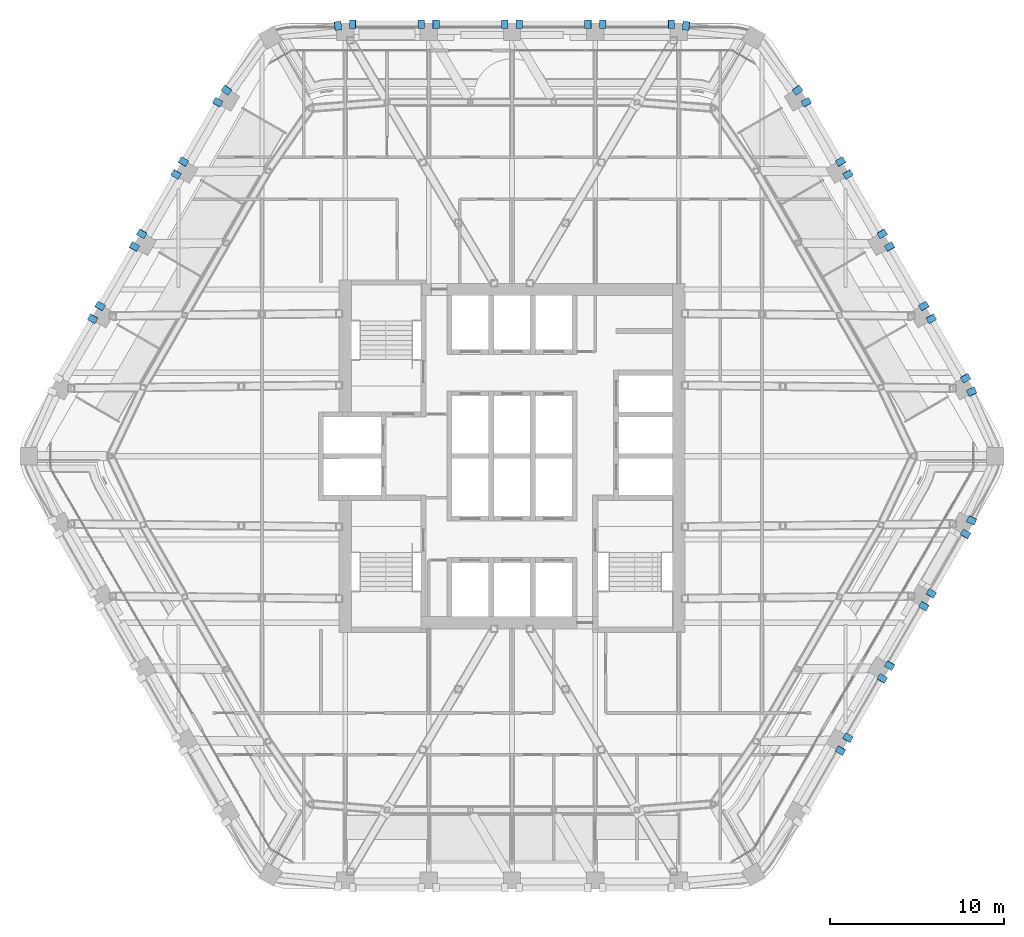
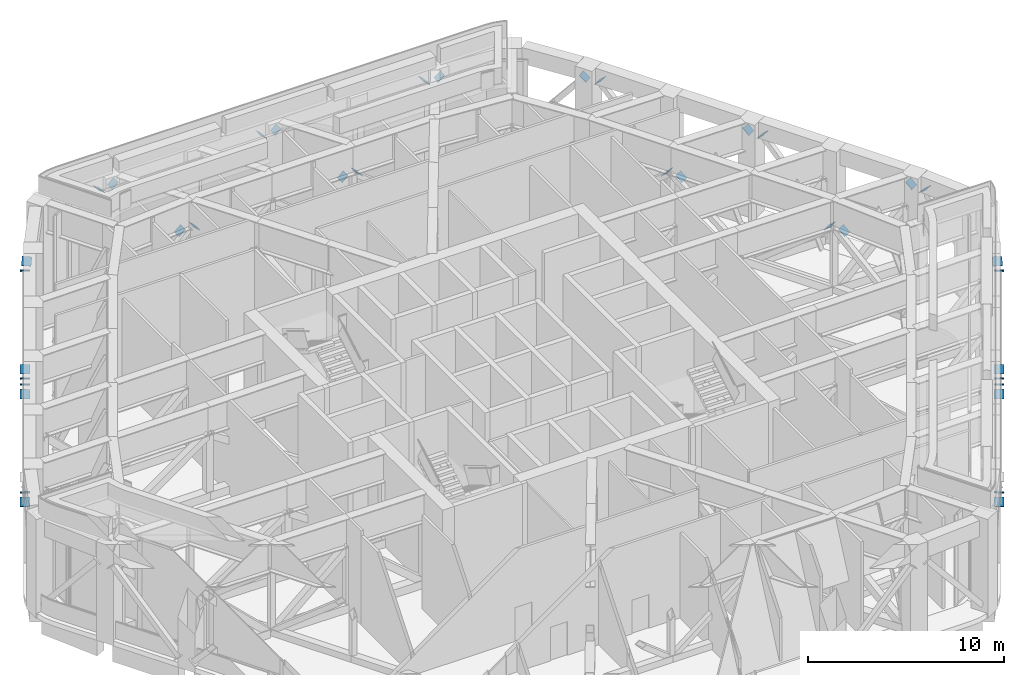
# One storey, part 21 of 24: 36 discrete accessories.
"""IFC4 building model written with IfcOpenShell, lengths in metres."""

import ifcopenshell
import ifcopenshell.guid

model = None  # the IFC model being written
_history = None  # IfcOwnerHistory: only IFC2X3 demands one
_inside = {}  # id of a spatial element -> (the spatial element, [elements in it])
_under = {}  # id of a project, library or spatial element -> (it, [spatial elements below it])
_declared = {}  # id of a project -> (the project, [libraries it declares])
_typed = {}  # id of a type object -> (the type object, [elements of that type])
_made_of = {}  # id of a material, layer set ... -> (it, [elements and type objects made of it])


def new_model(schema):
    """Start an empty IFC model of exactly this schema.

    Asked for "IFC4X3", IfcOpenShell would pick the latest addendum, in which some entities
    have other attributes; the version numbers below select the first issue.
    IFC2X3 requires an IfcOwnerHistory on every rooted entity: one is made here for all.
    """
    global model, _history
    if schema == "IFC4X3":
        model = ifcopenshell.file(schema_version=(4, 3, 0, 0))
    else:
        model = ifcopenshell.file(schema=schema)
    _inside.clear()
    _under.clear()
    _declared.clear()
    _typed.clear()
    _made_of.clear()
    _history = None
    if model.schema == "IFC2X3":
        org = make("IfcOrganization", Name="unknown")
        user = make(
            "IfcPersonAndOrganization",
            ThePerson=make("IfcPerson", FamilyName="unknown"),
            TheOrganization=org,
        )
        app = make(
            "IfcApplication",
            ApplicationDeveloper=org,
            Version="unknown",
            ApplicationFullName="unknown",
            ApplicationIdentifier="unknown",
        )
        _history = make(
            "IfcOwnerHistory",
            OwningUser=user,
            OwningApplication=app,
            ChangeAction="ADDED",
            CreationDate=0,
        )
    return model


def make(cls, **values):
    """One entity of the class cls with the attributes given. An attribute that is None is left unset."""
    return model.create_entity(
        cls, **{name: value for name, value in values.items() if value is not None}
    )


def rooted(cls, **values):
    """An entity with a GlobalId (a new one), such as an element, a storey or a relation."""
    return make(cls, GlobalId=ifcopenshell.guid.new(), OwnerHistory=_history, **values)


def si_unit(unit_type, name, prefix=None):
    """IfcSIUnit, for example si_unit("LENGTHUNIT", "METRE", prefix="MILLI")."""
    return make("IfcSIUnit", UnitType=unit_type, Prefix=prefix, Name=name)


def assignment(units):
    """IfcUnitAssignment: the units of a project."""
    return None if units is None else make("IfcUnitAssignment", Units=units)


def point(xyz):
    """IfcCartesianPoint."""
    return None if xyz is None else make("IfcCartesianPoint", Coordinates=xyz)


def direction(xyz):
    """IfcDirection."""
    return None if xyz is None else make("IfcDirection", DirectionRatios=xyz)


def frame(location, z_axis=None, x_axis=None):
    """IfcAxis2Placement3D, a coordinate frame: its origin and axes. An axis left out is left unset."""
    return make(
        "IfcAxis2Placement3D",
        Location=point(location),
        Axis=direction(z_axis),
        RefDirection=direction(x_axis),
    )


def frame_2d(location, x_axis=None):
    """IfcAxis2Placement2D, a coordinate frame in the plane: its origin and x axis."""
    return make(
        "IfcAxis2Placement2D", Location=point(location), RefDirection=direction(x_axis)
    )


def origin():
    """The frame at (0, 0, 0) with its axes left unset."""
    return frame((0.0, 0.0, 0.0))


def origin_2d():
    """The frame at (0, 0) in the plane with its x axis left unset."""
    return frame_2d((0.0, 0.0))


def place(relative_to, where):
    """IfcLocalPlacement: puts the frame where relative to a parent placement (None: the world)."""
    return make(
        "IfcLocalPlacement", PlacementRelTo=relative_to, RelativePlacement=where
    )


def context(
    kind, dimensions, precision=None, world=None, true_north=None, identifier=None
):
    """IfcGeometricRepresentationContext, for example the 3D "Model" context."""
    return make(
        "IfcGeometricRepresentationContext",
        ContextIdentifier=identifier,
        ContextType=kind,
        CoordinateSpaceDimension=dimensions,
        Precision=precision,
        WorldCoordinateSystem=world,
        TrueNorth=true_north,
    )


def subcontext(parent, identifier, kind, view, scale=None):
    """IfcGeometricRepresentationSubContext, for example "Body" below "Model"."""
    return make(
        "IfcGeometricRepresentationSubContext",
        ContextIdentifier=identifier,
        ContextType=kind,
        ParentContext=parent,
        TargetScale=scale,
        TargetView=view,
    )


def project(units=None, contexts=None):
    """IfcProject with its units and contexts."""
    return rooted(
        "IfcProject",
        Name="project",
        RepresentationContexts=contexts,
        UnitsInContext=assignment(units),
    )


def spatial(cls, under=None, at=None, **own):
    """A site, building, storey or space (cls), placed at a placement, below another one or the project."""
    s = rooted(cls, ObjectPlacement=at, **own)
    if under is not None:
        _under.setdefault(under.id(), (under, []))[1].append(s)
    return s


def profile(cls, at=None, kind="AREA", **sizes):
    """A parametric profile (cls). Its sizes go by their IFC names, for example OverallWidth=200.0."""
    return make(cls, ProfileType=kind, Position=at, **sizes)


def rectangle(**sizes):
    """IfcRectangleProfileDef."""
    return profile("IfcRectangleProfileDef", **sizes)


def extrude(swept, where, along, depth):
    """IfcExtrudedAreaSolid: the profile swept, set in the frame where, extruded along a direction by depth."""
    return make(
        "IfcExtrudedAreaSolid",
        SweptArea=swept,
        Position=where,
        ExtrudedDirection=direction(along),
        Depth=depth,
    )


def shape(context_of_items, identifier, shape_type, items):
    """IfcShapeRepresentation: the items that make up one representation, for example the "Body"."""
    return make(
        "IfcShapeRepresentation",
        ContextOfItems=context_of_items,
        RepresentationIdentifier=identifier,
        RepresentationType=shape_type,
        Items=items,
    )


def made_of(thing, what):
    """Note that an element or type object is made of a material, layer set ...; save() writes the relation."""
    if what is not None:
        _made_of.setdefault(what.id(), (what, []))[1].append(thing)
    return thing


def element(
    cls,
    number,
    at=None,
    inside=None,
    cuts=None,
    type_object=None,
    material=None,
    context=None,
    identifier="Body",
    shape_type=None,
    held_by="IfcProductDefinitionShape",
    body=None,
    shapes=None,
    **own,
):
    """One element of the class cls, such as IfcWall. Its Tag is "e" and its number.

    at: its placement. inside: the storey or other place that contains it. cuts: it is an
    opening in that element (IfcRelVoidsElement). A single representation is given by context,
    identifier, shape_type and body (its items); several are given by shapes. held_by: the class
    of the entity that holds the representations. save() writes the other relations.
    """
    e = rooted(cls, Tag="e%d" % number, ObjectPlacement=at, **own)
    if body is not None:
        shapes = [shape(context, identifier, shape_type, body)]
    if shapes is not None:
        e.Representation = make(held_by, Representations=shapes)
    if inside is not None:
        _inside.setdefault(inside.id(), (inside, []))[1].append(e)
    if cuts is not None:
        rooted(
            "IfcRelVoidsElement", RelatingBuildingElement=cuts, RelatedOpeningElement=e
        )
    if type_object is not None:
        _typed.setdefault(type_object.id(), (type_object, []))[1].append(e)
    return made_of(e, material)


def aggregate(whole, parts):
    """IfcRelAggregates: a whole, such as a stair, and the parts it consists of."""
    return rooted("IfcRelAggregates", RelatingObject=whole, RelatedObjects=parts)


def save(model, path):
    """Write the relations noted so far, then the file.

    IfcRelAggregates (storeys below a building ...), IfcRelContainedInSpatialStructure (elements
    in a storey), IfcRelDefinesByType, IfcRelAssociatesMaterial and IfcRelDeclares: one each for
    every whole, place, type object, material and project.
    """
    for whole, parts in _under.values():
        aggregate(whole, parts)
    for where, things in _inside.values():
        rooted(
            "IfcRelContainedInSpatialStructure",
            RelatedElements=things,
            RelatingStructure=where,
        )
    for kind, things in _typed.values():
        rooted("IfcRelDefinesByType", RelatedObjects=things, RelatingType=kind)
    for what, things in _made_of.values():
        rooted("IfcRelAssociatesMaterial", RelatedObjects=things, RelatingMaterial=what)
    for by, libraries in _declared.values():
        rooted("IfcRelDeclares", RelatingContext=by, RelatedDefinitions=libraries)
    model.write(path)


model = new_model("IFC4")

# Units and contexts
model_context = context("Model", 3, precision=1e-05, world=origin(), true_north=direction((0.0, 1.0)))
body_context = subcontext(model_context, "Body", "Model", "MODEL_VIEW")
ifc_project = project(units=[si_unit("LENGTHUNIT", "METRE"), si_unit("AREAUNIT", "SQUARE_METRE"), si_unit("VOLUMEUNIT", "CUBIC_METRE"), si_unit("PLANEANGLEUNIT", "RADIAN"), si_unit("MASSUNIT", "GRAM", prefix="KILO")], contexts=[model_context])

# Site, building, storey
site_placement = place(None, origin())
site = spatial("IfcSite", under=ifc_project, at=site_placement, CompositionType="ELEMENT")
building_placement = place(site_placement, origin())
building = spatial("IfcBuilding", under=site, at=building_placement, Name="Kolab Exchange Tower", CompositionType="ELEMENT")
storey_placement = place(building_placement, frame((0.0, 0.0, 216.800048828125)))
storey = spatial("IfcBuildingStorey", under=building, at=storey_placement, Name="L47", CompositionType="ELEMENT", Elevation=216.800048828125)

# Discrete accessories
for number, where, z_axis, x_axis, name in (
    (1, (-10.033447265625, 24.776611328125, 4.699951171875), (0.633882435837, 0.068264262321, 0.770410960479), (-0.10707319972, 0.994251140257, 0.0), "Gusset plate"),
    (2, (-9.1669921875, 24.864990234375, 4.699951171875), (-0.68231825036, 0.0, 0.731055268243), (0.0, -1.0, 0.0), "Gusset plate"),
):
    element("IfcDiscreteAccessory", number, at=place(storey_placement, frame(where, z_axis=z_axis, x_axis=x_axis)), inside=storey, Name=name, ObjectType="GUSSET PLATE", PredefinedType="USERDEFINED", context=body_context, shape_type="SweptSolid", body=[
        extrude(rectangle(XDim=0.5, YDim=0.5, at=origin_2d()), origin(), (0.0, 0.0, 1.0), 0.025146484375),
    ])
for number, where, z_axis, x_axis, name in (
    (3, (-5.23291015625, 24.864990234375, 0.39990234375), (0.677056530821, 0.0, -0.735931011762), (0.0, 1.0, 0.0), "Gusset plate"),
    (4, (-4.3671875, 24.864990234375, 0.39990234375), (-0.677056530821, 0.0, -0.735931011762), (0.0, -1.0, 0.0), "Gusset plate"),
    (5, (-0.432861328125, 24.864990234375, 4.699951171875), (0.677056530821, 0.0, 0.735931011762), (0.0, 1.0, 0.0), "Gusset plate"),
    (6, (0.432861328125, 24.864990234375, 4.699951171875), (-0.677056530821, 0.0, 0.735931011762), (0.0, -1.0, 0.0), "Gusset plate"),
    (7, (4.3671875, 24.864990234375, 0.39990234375), (0.677056530821, 0.0, -0.735931011762), (0.0, 1.0, 0.0), "Gusset plate"),
    (8, (5.23291015625, 24.864990234375, 0.39990234375), (-0.677056530821, 0.0, -0.735931011762), (0.0, -1.0, 0.0), "Gusset plate"),
):
    element("IfcDiscreteAccessory", number, at=place(storey_placement, frame(where, z_axis=z_axis, x_axis=x_axis)), inside=storey, Name=name, ObjectType="GUSSET PLATE", PredefinedType="USERDEFINED", context=body_context, shape_type="SweptSolid", body=[
        extrude(rectangle(XDim=0.5, YDim=0.5, at=origin_2d()), origin(), (0.0, 0.0, 1.0), 0.02490234375),
    ])
for number, where, z_axis, x_axis, name in (
    (9, (9.1669921875, 24.864990234375, 4.699951171875), (0.68231825036, 0.0, 0.731055268243), (0.0, 1.0, 0.0), "Gusset plate"),
    (10, (10.033447265625, 24.776611328125, 4.699951171875), (-0.633882435837, 0.068264262321, 0.770410960479), (-0.10707319972, -0.994251140257, 0.0), "Gusset plate"),
    (11, (16.4404296875, 21.07763671875, 4.699951171875), (0.379320723824, -0.515487137504, 0.768367620053), (0.805437640136, 0.592680527647, 0.0), "Gusset plate"),
):
    element("IfcDiscreteAccessory", number, at=place(storey_placement, frame(where, z_axis=z_axis, x_axis=x_axis)), inside=storey, Name=name, ObjectType="GUSSET PLATE", PredefinedType="USERDEFINED", context=body_context, shape_type="SweptSolid", body=[
        extrude(rectangle(XDim=0.5, YDim=0.5, at=origin_2d()), origin(), (0.0, 0.0, 1.0), 0.025146484375),
    ])
for number, where, z_axis, x_axis, name in (
    (12, (16.9501953125, 20.371337890625, 4.699951171875), (-0.333702393387, 0.588886576564, 0.736108220706), (-0.870022185849, -0.493012571981, 0.0), "Gusset plate"),
    (13, (18.917236328125, 16.96435546875, 0.39990234375), (0.342381191631, -0.586939185653, -0.733673982067), (0.863778900898, 0.503871025524, 0.0), "Gusset plate"),
    (14, (19.350341796875, 16.214599609375, 0.39990234375), (-0.344347443919, 0.580471405463, -0.737887379826), (-0.860054653874, -0.510201913315, 0.0), "Gusset plate"),
    (15, (21.3173828125, 12.8076171875, 4.699951171875), (0.333702393387, -0.588886576564, 0.736108220706), (0.870022185849, 0.493012571981, 0.0), "Gusset plate"),
    (16, (21.750244140625, 12.0576171875, 4.699951171875), (-0.333702393387, 0.588886576564, 0.736108220706), (-0.870022185849, -0.493012571981, 0.0), "Gusset plate"),
    (17, (23.71728515625, 8.650634765625, 0.39990234375), (0.333702393387, -0.588886576564, -0.736108220706), (0.870022185849, 0.493012571981, 0.0), "Gusset plate"),
    (18, (24.150390625, 7.900634765625, 0.39990234375), (-0.342381191631, 0.586939185653, -0.733673982067), (-0.863778900898, -0.503871025524, 0.0), "Gusset plate"),
    (19, (26.1171875, 4.49365234375, 4.699951171875), (0.342381191631, -0.586939185653, 0.733673982067), (0.863778900898, 0.503871025524, 0.0), "Gusset plate"),
    (20, (26.47412109375, 3.69921875, 4.699951171875), (-0.264109997004, 0.577129252713, 0.772766287531), (-0.909307898958, -0.41612395376, 0.0), "Gusset plate"),
    (21, (26.47412109375, -3.69921875, 4.699951171875), (-0.264109997004, -0.577129252713, 0.772766287531), (0.909307898958, -0.41612395376, 0.0), "Gusset plate"),
    (22, (26.1171875, -4.49365234375, 4.699951171875), (0.342381191631, 0.586939185653, 0.733673982067), (-0.863778900898, 0.503871025524, 0.0), "Gusset plate"),
    (23, (24.150390625, -7.900634765625, 0.39990234375), (-0.342381191631, -0.586939185653, -0.733673982067), (0.863778900898, -0.503871025524, 0.0), "Gusset plate"),
    (24, (23.71728515625, -8.650634765625, 0.39990234375), (0.333702393387, 0.588886576564, -0.736108220706), (-0.870022185849, 0.493012571981, 0.0), "Gusset plate"),
    (25, (21.750244140625, -12.0576171875, 4.699951171875), (-0.333702393387, -0.588886576564, 0.736108220706), (0.870022185849, -0.493012571981, 0.0), "Gusset plate"),
    (26, (21.3173828125, -12.8076171875, 4.699951171875), (0.333702393387, 0.588886576564, 0.736108220706), (-0.870022185849, 0.493012571981, 0.0), "Gusset plate"),
    (27, (19.350341796875, -16.214599609375, 0.39990234375), (-0.344347443919, -0.580471405463, -0.737887379826), (0.860054653874, -0.510201913315, 0.0), "Gusset plate"),
    (28, (18.917236328125, -16.96435546875, 0.39990234375), (0.342381191631, 0.586939185653, -0.733673982067), (-0.863778900898, 0.503871025524, 0.0), "Gusset plate"),
    (29, (-24.150390625, 7.900634765625, 0.39990234375), (0.342381191631, 0.586939185653, -0.733673982067), (-0.863778900898, 0.503871025524, 0.0), "Gusset plate"),
    (30, (-23.71728515625, 8.650634765625, 0.39990234375), (-0.333702393387, -0.588886576564, -0.736108220706), (0.870022185849, -0.493012571981, 0.0), "Gusset plate"),
    (31, (-21.750244140625, 12.0576171875, 4.699951171875), (0.333702393387, 0.588886576564, 0.736108220706), (-0.870022185849, 0.493012571981, 0.0), "Gusset plate"),
    (32, (-21.3173828125, 12.8076171875, 4.699951171875), (-0.333702393387, -0.588886576564, 0.736108220706), (0.870022185849, -0.493012571981, 0.0), "Gusset plate"),
    (33, (-19.350341796875, 16.214599609375, 0.39990234375), (0.344347443919, 0.580471405463, -0.737887379826), (-0.860054653874, 0.510201913315, 0.0), "Gusset plate"),
    (34, (-18.917236328125, 16.96435546875, 0.39990234375), (-0.342381191631, -0.586939185653, -0.733673982067), (0.863778900898, -0.503871025524, 0.0), "Gusset plate"),
    (35, (-16.9501953125, 20.371337890625, 4.699951171875), (0.333702393387, 0.588886576564, 0.736108220706), (-0.870022185849, 0.493012571981, 0.0), "Gusset plate"),
):
    element("IfcDiscreteAccessory", number, at=place(storey_placement, frame(where, z_axis=z_axis, x_axis=x_axis)), inside=storey, Name=name, ObjectType="GUSSET PLATE", PredefinedType="USERDEFINED", context=body_context, shape_type="SweptSolid", body=[
        extrude(rectangle(XDim=0.5, YDim=0.5, at=origin_2d()), origin(), (0.0, 0.0, 1.0), 0.02490234375),
    ])
discrete_accessory_placement = place(storey_placement, frame((-16.4404296875, 21.07763671875, 4.699951171875), z_axis=(-0.379320723824, -0.515487137504, 0.768367620053), x_axis=(0.805437640136, -0.592680527647, 0.0)))
element("IfcDiscreteAccessory", 36, at=discrete_accessory_placement, inside=storey, Name="Gusset plate", ObjectType="GUSSET PLATE", PredefinedType="USERDEFINED", context=body_context, shape_type="SweptSolid", body=[
    extrude(rectangle(XDim=0.5, YDim=0.5, at=origin_2d()), origin(), (0.0, 0.0, 1.0), 0.025146484375),
])

save(model, "model.ifc")
